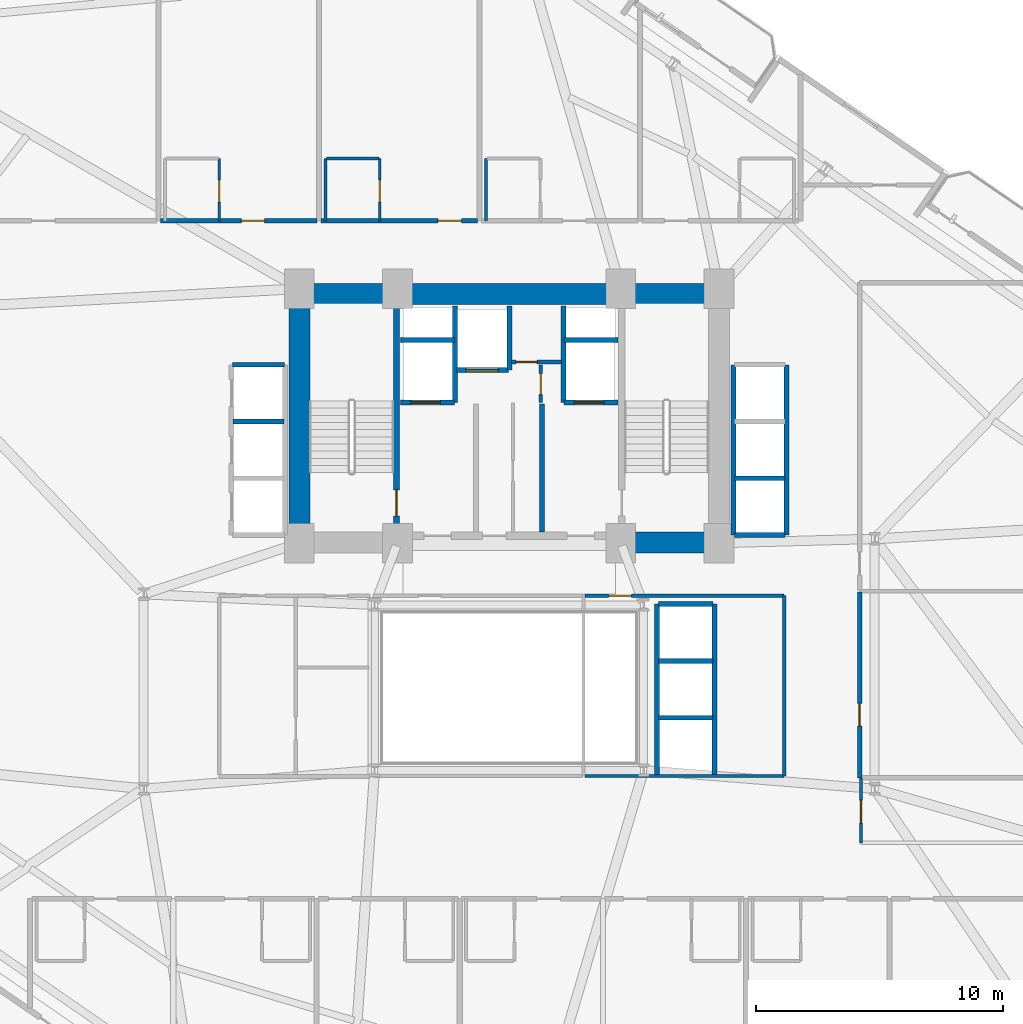
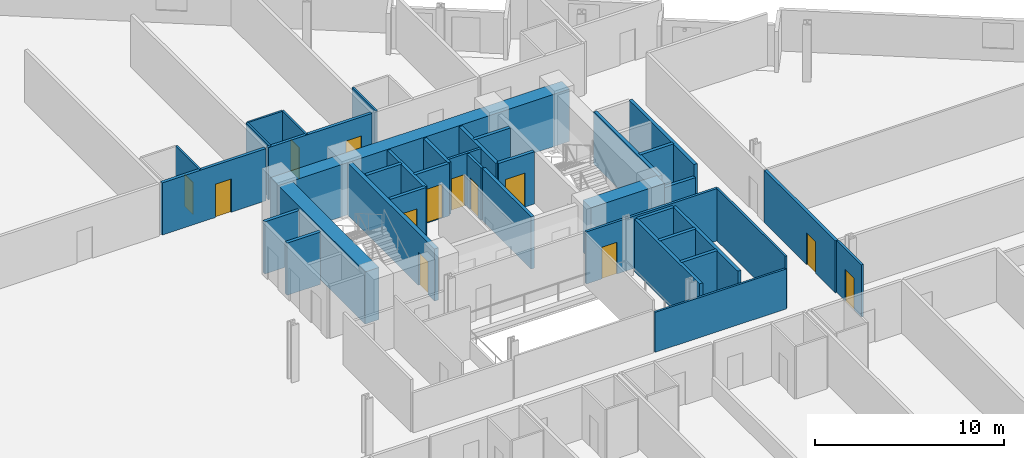
# One storey, part 19 of 24: 38 walls, 13 doors, 13 openings.
"""IFC4 building model written with IfcOpenShell, lengths in metres."""

from ifc_helpers import new_model, si_unit, direction, frame, frame_2d, origin, place, context, subcontext, project, spatial, rectangle, extrude, material, layer, layer_set, type_object, element, fill, save


model = new_model("IFC4")

# Units and contexts
model_context = context("Model", 3, precision=1e-05, world=origin(), true_north=direction((0.0, 1.0)))
body_context = subcontext(model_context, "Body", "Model", "MODEL_VIEW")
ifc_project = project(units=[si_unit("LENGTHUNIT", "METRE"), si_unit("AREAUNIT", "SQUARE_METRE"), si_unit("VOLUMEUNIT", "CUBIC_METRE"), si_unit("PLANEANGLEUNIT", "RADIAN"), si_unit("MASSUNIT", "GRAM", prefix="KILO")], contexts=[model_context])

# Site, building, storey
site_placement = place(None, origin())
site = spatial("IfcSite", under=ifc_project, at=site_placement, CompositionType="ELEMENT")
building_placement = place(site_placement, origin())
building = spatial("IfcBuilding", under=site, at=building_placement, Name="Varnelok Gate Tower", CompositionType="ELEMENT")
storey_placement = place(building_placement, frame((0.0, 0.0, 67.699951171875)))
storey = spatial("IfcBuildingStorey", under=building, at=storey_placement, Name="L16", CompositionType="ELEMENT", Elevation=67.699951171875)

# Wall, opening, door
ifc_material_1 = material(Name="Gypsum Plasterboard Acoustic Partition", Category="gypsum")
ifc_layer_1 = layer(ifc_material_1, 0.179931640625)
ifc_layer_set_1 = layer_set([ifc_layer_1], Name="Gypsum Plasterboard Acoustic Partition")
wall_type_1 = type_object("IfcWallType", Name="PW-CORR-180", PredefinedType="PARTITIONING", material=ifc_layer_set_1)
wall_1_placement = place(storey_placement, frame((25.080078125, 41.800048828125, 0.0), z_axis=(0.0, 0.0, 1.0), x_axis=(1.0, 0.0, 0.0)))
wall_1 = element("IfcWall", 1, at=wall_1_placement, inside=storey, type_object=wall_type_1, Name="Interior Partition", PredefinedType="PARTITIONING", context=body_context, shape_type="SweptSolid", body=[
    extrude(rectangle(XDim=6.33984375, YDim=0.179931640625, at=frame_2d((3.169921875, 0.0))), origin(), (0.0, 0.0, 1.0), 3.380126953125),
])
opening_1_placement = place(wall_1_placement, frame((3.273681640625, 0.0, 0.0)))
opening_1 = element("IfcOpeningElement", 2, at=opening_1_placement, cuts=wall_1, Name="Opening D-HT", PredefinedType="OPENING", context=body_context, shape_type="SweptSolid", body=[
    extrude(rectangle(XDim=0.949951171875, YDim=2.14990234375, at=frame_2d((0.47509765625, 1.074951171875))), frame((0.0, 0.099853515625, 0.0), z_axis=(0.0, -1.0, 0.0), x_axis=(1.0, 0.0, 0.0)), (0.0, 0.0, 1.0), 0.199951171875),
])
ifc_material_2 = material(Name="Engineered Hardwood Timber", Category="wood")
door_type_1 = type_object("IfcDoorType", Name="DR-HTL-950", OperationType="NOTDEFINED", PredefinedType="DOOR", material=ifc_material_2)
door_1_placement = place(opening_1_placement, origin())
door_1 = element("IfcDoor", 3, at=door_1_placement, inside=storey, type_object=door_type_1, Name="L16 Guest Room 12 Entrance Door", OperationType="SINGLE_SWING_LEFT", OverallHeight=2.14990234375, OverallWidth=0.949951171875, PredefinedType="DOOR", context=body_context, shape_type="SweptSolid", body=[
    extrude(rectangle(XDim=0.949951171875, YDim=2.14990234375, at=frame_2d((0.47509765625, 1.074951171875))), frame((0.0, 0.02490234375, 0.0), z_axis=(0.0, -1.0, 0.0), x_axis=(1.0, 0.0, 0.0)), (0.0, 0.0, 1.0), 0.050048828125),
])
fill(opening_1, door_1)

wall_2_placement = place(storey_placement, frame((31.580078125, 41.800048828125, 0.0), z_axis=(0.0, 0.0, 1.0), x_axis=(1.0, 0.0, 0.0)))
wall_2 = element("IfcWall", 4, at=wall_2_placement, inside=storey, type_object=wall_type_1, Name="Interior Partition", PredefinedType="PARTITIONING", context=body_context, shape_type="SweptSolid", body=[
    extrude(rectangle(XDim=6.33984375, YDim=0.179931640625, at=frame_2d((3.169921875, 0.0))), origin(), (0.0, 0.0, 1.0), 3.380126953125),
])
opening_2_placement = place(wall_2_placement, frame((4.739013671875, 0.0, 0.0)))
opening_2 = element("IfcOpeningElement", 5, at=opening_2_placement, cuts=wall_2, Name="Opening D-HT", PredefinedType="OPENING", context=body_context, shape_type="SweptSolid", body=[
    extrude(rectangle(XDim=0.949951171875, YDim=2.14990234375, at=frame_2d((0.47509765625, 1.074951171875))), frame((0.0, 0.099853515625, 0.0), z_axis=(0.0, -1.0, 0.0), x_axis=(1.0, 0.0, 0.0)), (0.0, 0.0, 1.0), 0.199951171875),
])
door_2_placement = place(opening_2_placement, origin())
door_2 = element("IfcDoor", 6, at=door_2_placement, inside=storey, type_object=door_type_1, Name="L16 Guest Room 13 Entrance Door", OperationType="SINGLE_SWING_RIGHT", OverallHeight=2.14990234375, OverallWidth=0.949951171875, PredefinedType="DOOR", context=body_context, shape_type="SweptSolid", body=[
    extrude(rectangle(XDim=0.949951171875, YDim=2.14990234375, at=frame_2d((0.47509765625, 1.074951171875))), frame((0.0, 0.02490234375, 0.0), z_axis=(0.0, -1.0, 0.0), x_axis=(1.0, 0.0, 0.0)), (0.0, 0.0, 1.0), 0.050048828125),
])
fill(opening_2, door_2)

wall_3_placement = place(storey_placement, frame((53.389892578125, 19.239990234375, 0.0), z_axis=(0.0, 0.0, 1.0), x_axis=(0.0, 1.0, 0.0)))
wall_3 = element("IfcWall", 7, at=wall_3_placement, inside=storey, type_object=wall_type_1, Name="Interior Partition", PredefinedType="PARTITIONING", context=body_context, shape_type="SweptSolid", body=[
    extrude(rectangle(XDim=7.52001953125, YDim=0.179931640625, at=frame_2d((3.760009765625, 0.0))), origin(), (0.0, 0.0, 1.0), 3.380126953125),
])
opening_3_placement = place(wall_3_placement, frame((2.10009765625, 0.0, 0.0)))
opening_3 = element("IfcOpeningElement", 8, at=opening_3_placement, cuts=wall_3, Name="Opening D-I3", PredefinedType="OPENING", context=body_context, shape_type="SweptSolid", body=[
    extrude(rectangle(XDim=0.919921875, YDim=2.050048828125, at=frame_2d((0.4599609375, 1.02490234375))), frame((0.0, 0.099853515625, 0.0), z_axis=(0.0, -1.0, 0.0), x_axis=(1.0, 0.0, 0.0)), (0.0, 0.0, 1.0), 0.199951171875),
])
door_type_2 = type_object("IfcDoorType", Name="DR-INT-920", OperationType="NOTDEFINED", PredefinedType="DOOR", material=ifc_material_2)
door_3_placement = place(opening_3_placement, origin())
door_3 = element("IfcDoor", 9, at=door_3_placement, inside=storey, type_object=door_type_2, Name="L16 East Studio Door", OperationType="SINGLE_SWING_RIGHT", OverallHeight=2.050048828125, OverallWidth=0.919921875, PredefinedType="DOOR", context=body_context, shape_type="SweptSolid", body=[
    extrude(rectangle(XDim=0.919921875, YDim=2.050048828125, at=frame_2d((0.4599609375, 1.02490234375))), frame((0.0, 0.02490234375, 0.0), z_axis=(0.0, -1.0, 0.0), x_axis=(1.0, 0.0, 0.0)), (0.0, 0.0, 1.0), 0.050048828125),
])
fill(opening_3, door_3)

ifc_layer_2 = layer(ifc_material_1, 0.114990234375)
ifc_layer_set_2 = layer_set([ifc_layer_2], Name="Gypsum Plasterboard Acoustic Partition")
wall_type_2 = type_object("IfcWallType", Name="PW-ENS-125", PredefinedType="PARTITIONING", material=ifc_layer_set_2)
wall_4_placement = place(storey_placement, frame((27.464111328125, 41.800048828125, 0.0), z_axis=(0.0, 0.0, 1.0), x_axis=(0.0, 1.0, 0.0)))
wall_4 = element("IfcWall", 10, at=wall_4_placement, inside=storey, type_object=wall_type_2, Name="Interior Partition", PredefinedType="PARTITIONING", context=body_context, shape_type="SweptSolid", body=[
    extrude(rectangle(XDim=2.52001953125, YDim=0.114990234375, at=frame_2d((1.260009765625, 0.0))), origin(), (0.0, 0.0, 1.0), 3.380126953125),
])
opening_4_placement = place(wall_4_placement, frame((0.760009765625, 0.0, 0.0)))
opening_4 = element("IfcOpeningElement", 11, at=opening_4_placement, cuts=wall_4, Name="Opening D-WC", PredefinedType="OPENING", context=body_context, shape_type="SweptSolid", body=[
    extrude(rectangle(XDim=0.89990234375, YDim=2.050048828125, at=frame_2d((0.449951171875, 1.02490234375))), frame((0.0, 0.0673828125, 0.0), z_axis=(0.0, -1.0, 0.0), x_axis=(1.0, 0.0, 0.0)), (0.0, 0.0, 1.0), 0.135009765625),
])
door_type_3 = type_object("IfcDoorType", Name="DR-BATH-900", OperationType="NOTDEFINED", PredefinedType="DOOR", material=ifc_material_2)
door_4_placement = place(opening_4_placement, origin())
door_4 = element("IfcDoor", 12, at=door_4_placement, inside=storey, type_object=door_type_3, Name="L16 North En-Suite 12 Door", OperationType="SINGLE_SWING_RIGHT", OverallHeight=2.050048828125, OverallWidth=0.89990234375, PredefinedType="DOOR", context=body_context, shape_type="SweptSolid", body=[
    extrude(rectangle(XDim=0.89990234375, YDim=2.050048828125, at=frame_2d((0.449951171875, 1.02490234375))), frame((0.0, 0.02490234375, 0.0), z_axis=(0.0, -1.0, 0.0), x_axis=(1.0, 0.0, 0.0)), (0.0, 0.0, 1.0), 0.050048828125),
])
fill(opening_4, door_4)

# Wall
wall_5_placement = place(storey_placement, frame((31.800048828125, 44.320068359375, 0.0), z_axis=(0.0, 0.0, 1.0), x_axis=(1.0, 0.0, 0.0)))
element("IfcWall", 13, at=wall_5_placement, inside=storey, type_object=wall_type_2, Name="Interior Partition", PredefinedType="PARTITIONING", context=body_context, shape_type="SweptSolid", body=[
    extrude(rectangle(XDim=2.1240234375, YDim=0.114990234375, at=frame_2d((1.06201171875, 0.0))), origin(), (0.0, 0.0, 1.0), 3.380126953125),
])

# Wall, opening, door
wall_6_placement = place(storey_placement, frame((33.964111328125, 41.800048828125, 0.0), z_axis=(0.0, 0.0, 1.0), x_axis=(0.0, 1.0, 0.0)))
wall_6 = element("IfcWall", 14, at=wall_6_placement, inside=storey, type_object=wall_type_2, Name="Interior Partition", PredefinedType="PARTITIONING", context=body_context, shape_type="SweptSolid", body=[
    extrude(rectangle(XDim=2.52001953125, YDim=0.114990234375, at=frame_2d((1.260009765625, 0.0))), origin(), (0.0, 0.0, 1.0), 3.380126953125),
])
opening_5_placement = place(wall_6_placement, frame((0.760009765625, 0.0, 0.0)))
opening_5 = element("IfcOpeningElement", 15, at=opening_5_placement, cuts=wall_6, Name="Opening D-WC", PredefinedType="OPENING", context=body_context, shape_type="SweptSolid", body=[
    extrude(rectangle(XDim=0.89990234375, YDim=2.050048828125, at=frame_2d((0.449951171875, 1.02490234375))), frame((0.0, 0.0673828125, 0.0), z_axis=(0.0, -1.0, 0.0), x_axis=(1.0, 0.0, 0.0)), (0.0, 0.0, 1.0), 0.135009765625),
])
door_5_placement = place(opening_5_placement, origin())
door_5 = element("IfcDoor", 16, at=door_5_placement, inside=storey, type_object=door_type_3, Name="L16 North En-Suite 13 Door", OperationType="SINGLE_SWING_RIGHT", OverallHeight=2.050048828125, OverallWidth=0.89990234375, PredefinedType="DOOR", context=body_context, shape_type="SweptSolid", body=[
    extrude(rectangle(XDim=0.89990234375, YDim=2.050048828125, at=frame_2d((0.449951171875, 1.02490234375))), frame((0.0, 0.02490234375, 0.0), z_axis=(0.0, -1.0, 0.0), x_axis=(1.0, 0.0, 0.0)), (0.0, 0.0, 1.0), 0.050048828125),
])
fill(opening_5, door_5)

# Walls
for number, where, z_axis, x_axis, name in (
    (17, (31.760009765625, 41.800048828125, 0.0), (0.0, 0.0, 1.0), (0.0, 1.0, 0.0), "Interior Partition"),
    (18, (38.260009765625, 41.800048828125, 0.0), (0.0, 0.0, 1.0), (0.0, 1.0, 0.0), "Interior Partition"),
):
    element("IfcWall", number, at=place(storey_placement, frame(where, z_axis=z_axis, x_axis=x_axis)), inside=storey, type_object=wall_type_2, Name=name, PredefinedType="PARTITIONING", context=body_context, shape_type="SweptSolid", body=[
        extrude(rectangle(XDim=2.52001953125, YDim=0.114990234375, at=frame_2d((1.260009765625, 0.0))), origin(), (0.0, 0.0, 1.0), 3.380126953125),
    ])
ifc_layer_3 = layer(ifc_material_1, 0.125)
ifc_layer_set_3 = layer_set([ifc_layer_3], Name="Gypsum Plasterboard Acoustic Partition")
wall_type_3 = type_object("IfcWallType", Name="PW-PART-125", PredefinedType="PARTITIONING", material=ifc_layer_set_3)
wall_7_placement = place(storey_placement, frame((42.280029296875, 19.320068359375, 0.0), z_axis=(0.0, 0.0, 1.0), x_axis=(1.0, 0.0, 0.0)))
element("IfcWall", 19, at=wall_7_placement, inside=storey, type_object=wall_type_3, Name="Interior Partition", PredefinedType="PARTITIONING", context=body_context, shape_type="SweptSolid", body=[
    extrude(rectangle(XDim=8.06005859375, YDim=0.125, at=frame_2d((4.030029296875, 0.0))), origin(), (0.0, 0.0, 1.0), 2.592041015625),
])
wall_8_placement = place(storey_placement, frame((50.340087890625, 19.320068359375, 0.0), z_axis=(0.0, 0.0, 1.0), x_axis=(0.0, 1.0, 0.0)))
element("IfcWall", 20, at=wall_8_placement, inside=storey, type_object=wall_type_3, Name="Interior Partition", PredefinedType="PARTITIONING", context=body_context, shape_type="SweptSolid", body=[
    extrude(rectangle(XDim=7.300048828125, YDim=0.125, at=frame_2d((3.64990234375, 0.0))), origin(), (0.0, 0.0, 1.0), 3.380126953125),
])

# Wall, opening, door
wall_9_placement = place(storey_placement, frame((53.449951171875, 16.610107421875, 0.0), z_axis=(0.0, 0.0, 1.0), x_axis=(0.0, 1.0, 0.0)))
wall_9 = element("IfcWall", 21, at=wall_9_placement, inside=storey, type_object=wall_type_3, Name="Interior Partition", PredefinedType="PARTITIONING", context=body_context, shape_type="SweptSolid", body=[
    extrude(rectangle(XDim=2.6298828125, YDim=0.125, at=frame_2d((1.31494140625, 0.0))), origin(), (0.0, 0.0, 1.0), 3.380126953125),
])
opening_6_placement = place(wall_9_placement, frame((0.79736328125, 0.0, 0.0)))
opening_6 = element("IfcOpeningElement", 22, at=opening_6_placement, cuts=wall_9, Name="Opening D-I3", PredefinedType="OPENING", context=body_context, shape_type="SweptSolid", body=[
    extrude(rectangle(XDim=0.919921875, YDim=2.050048828125, at=frame_2d((0.4599609375, 1.02490234375))), frame((0.0, 0.072509765625, 0.0), z_axis=(0.0, -1.0, 0.0), x_axis=(1.0, 0.0, 0.0)), (0.0, 0.0, 1.0), 0.14501953125),
])
door_6_placement = place(opening_6_placement, origin())
door_6 = element("IfcDoor", 23, at=door_6_placement, inside=storey, type_object=door_type_2, Name="L16 Atrium Room 2 Door", OperationType="SINGLE_SWING_LEFT", OverallHeight=2.050048828125, OverallWidth=0.919921875, PredefinedType="DOOR", context=body_context, shape_type="SweptSolid", body=[
    extrude(rectangle(XDim=0.919921875, YDim=2.050048828125, at=frame_2d((0.4599609375, 1.02490234375))), frame((0.0, 0.02490234375, 0.0), z_axis=(0.0, -1.0, 0.0), x_axis=(1.0, 0.0, 0.0)), (0.0, 0.0, 1.0), 0.050048828125),
])
fill(opening_6, door_6)

ifc_layer_4 = layer(ifc_material_1, 0.14990234375)
ifc_layer_set_4 = layer_set([ifc_layer_4], Name="Gypsum Plasterboard Acoustic Partition")
wall_type_4 = type_object("IfcWallType", Name="PW-PART-150", PredefinedType="PARTITIONING", material=ifc_layer_set_4)
wall_10_placement = place(storey_placement, frame((42.280029296875, 26.6201171875, 0.0), z_axis=(0.0, 0.0, 1.0), x_axis=(1.0, 0.0, 0.0)))
wall_10 = element("IfcWall", 24, at=wall_10_placement, inside=storey, type_object=wall_type_4, Name="Interior Partition", PredefinedType="PARTITIONING", context=body_context, shape_type="SweptSolid", body=[
    extrude(rectangle(XDim=8.06005859375, YDim=0.14990234375, at=frame_2d((4.030029296875, 0.0))), origin(), (0.0, 0.0, 1.0), 3.380126953125),
])
opening_7_placement = place(wall_10_placement, frame((0.95361328125, 0.0, 0.0)))
opening_7 = element("IfcOpeningElement", 25, at=opening_7_placement, cuts=wall_10, Name="Opening D-I3", PredefinedType="OPENING", context=body_context, shape_type="SweptSolid", body=[
    extrude(rectangle(XDim=0.919921875, YDim=2.050048828125, at=frame_2d((0.4599609375, 1.02490234375))), frame((0.0, 0.0849609375, 0.0), z_axis=(0.0, -1.0, 0.0), x_axis=(1.0, 0.0, 0.0)), (0.0, 0.0, 1.0), 0.169921875),
])
door_7_placement = place(opening_7_placement, origin())
door_7 = element("IfcDoor", 26, at=door_7_placement, inside=storey, type_object=door_type_2, Name="L16 Executive Briefing Room Door", OperationType="SINGLE_SWING_LEFT", OverallHeight=2.050048828125, OverallWidth=0.919921875, PredefinedType="DOOR", context=body_context, shape_type="SweptSolid", body=[
    extrude(rectangle(XDim=0.919921875, YDim=2.050048828125, at=frame_2d((0.4599609375, 1.02490234375))), frame((0.0, 0.02490234375, 0.0), z_axis=(0.0, -1.0, 0.0), x_axis=(1.0, 0.0, 0.0)), (0.0, 0.0, 1.0), 0.050048828125),
])
fill(opening_7, door_7)

wall_11_placement = place(storey_placement, frame((39.300048828125, 36.080078125, 0.0), z_axis=(0.0, 0.0, 1.0), x_axis=(1.0, 0.0, 0.0)))
wall_11 = element("IfcWall", 27, at=wall_11_placement, inside=storey, type_object=wall_type_4, Name="L16 Electrical Closet South Wall", PredefinedType="PARTITIONING", context=body_context, shape_type="SweptSolid", body=[
    extrude(rectangle(XDim=2.02001953125, YDim=0.14990234375, at=frame_2d((1.010009765625, 0.0))), origin(), (0.0, 0.0, 1.0), 3.380126953125),
])
opening_8_placement = place(wall_11_placement, frame((0.179931640625, 0.0, 0.0)))
opening_8 = element("IfcOpeningElement", 28, at=opening_8_placement, cuts=wall_11, Name="Opening D-RS", PredefinedType="OPENING", context=body_context, shape_type="SweptSolid", body=[
    extrude(rectangle(XDim=0.85009765625, YDim=2.050048828125, at=frame_2d((0.425048828125, 1.02490234375))), frame((0.0, 0.0849609375, 0.0), z_axis=(0.0, -1.0, 0.0), x_axis=(1.0, 0.0, 0.0)), (0.0, 0.0, 1.0), 0.169921875),
])
ifc_material_3 = material(Name="Galvanized Steel Grade S350GD", Category="steel")
door_type_4 = type_object("IfcDoorType", Name="DR-RISER-850", OperationType="NOTDEFINED", PredefinedType="DOOR", material=ifc_material_3)
door_8_placement = place(opening_8_placement, origin())
door_8 = element("IfcDoor", 29, at=door_8_placement, inside=storey, type_object=door_type_4, Name="L16 Electrical Closet Door", OperationType="SINGLE_SWING_RIGHT", OverallHeight=2.050048828125, OverallWidth=0.85009765625, PredefinedType="DOOR", context=body_context, shape_type="SweptSolid", body=[
    extrude(rectangle(XDim=0.85009765625, YDim=2.050048828125, at=frame_2d((0.425048828125, 1.02490234375))), frame((0.0, 0.02490234375, 0.0), z_axis=(0.0, -1.0, 0.0), x_axis=(1.0, 0.0, 0.0)), (0.0, 0.0, 1.0), 0.050048828125),
])
fill(opening_8, door_8)

wall_12_placement = place(storey_placement, frame((40.47998046875, 34.43994140625, 0.0), z_axis=(0.0, 0.0, 1.0), x_axis=(0.0, 1.0, 0.0)))
wall_12 = element("IfcWall", 30, at=wall_12_placement, inside=storey, type_object=wall_type_4, Name="L16 Telecoms Closet West Wall", PredefinedType="PARTITIONING", context=body_context, shape_type="SweptSolid", body=[
    extrude(rectangle(XDim=1.52001953125, YDim=0.14990234375, at=frame_2d((0.760009765625, 0.0))), origin(), (0.0, 0.0, 1.0), 3.380126953125),
])
opening_9_placement = place(wall_12_placement, frame((0.320068359375, 0.0, 0.0)))
opening_9 = element("IfcOpeningElement", 31, at=opening_9_placement, cuts=wall_12, Name="Opening D-RS", PredefinedType="OPENING", context=body_context, shape_type="SweptSolid", body=[
    extrude(rectangle(XDim=0.85009765625, YDim=2.050048828125, at=frame_2d((0.425048828125, 1.02490234375))), frame((0.0, 0.0849609375, 0.0), z_axis=(0.0, -1.0, 0.0), x_axis=(1.0, 0.0, 0.0)), (0.0, 0.0, 1.0), 0.169921875),
])
door_9_placement = place(opening_9_placement, origin())
door_9 = element("IfcDoor", 32, at=door_9_placement, inside=storey, type_object=door_type_4, Name="L16 Telecoms Closet Door", OperationType="SINGLE_SWING_LEFT", OverallHeight=2.050048828125, OverallWidth=0.85009765625, PredefinedType="DOOR", context=body_context, shape_type="SweptSolid", body=[
    extrude(rectangle(XDim=0.85009765625, YDim=2.050048828125, at=frame_2d((0.425048828125, 1.02490234375))), frame((0.0, 0.02490234375, 0.0), z_axis=(0.0, -1.0, 0.0), x_axis=(1.0, 0.0, 0.0)), (0.0, 0.0, 1.0), 0.050048828125),
])
fill(opening_9, door_9)

# Wall
ifc_material_4 = material(Name="Concrete C35/45", Category="concrete")
ifc_layer_5 = layer(ifc_material_4, 0.199951171875)
ifc_layer_set_5 = layer_set([ifc_layer_5], Name="Concrete C35/45")
wall_type_5 = type_object("IfcWallType", Name="PW-SHAFT-200", PredefinedType="PARTITIONING", material=ifc_layer_set_5)
wall_13_placement = place(storey_placement, frame((40.5400390625, 29.199951171875, 0.0), z_axis=(0.0, 0.0, 1.0), x_axis=(0.0, 1.0, 0.0)))
element("IfcWall", 33, at=wall_13_placement, inside=storey, type_object=wall_type_5, Name="L16 East FF Lobby Rated Wall", PredefinedType="PARTITIONING", context=body_context, shape_type="SweptSolid", body=[
    extrude(rectangle(XDim=5.179931640625, YDim=0.199951171875, at=frame_2d((2.58984375, 0.0))), origin(), (0.0, 0.0, 1.0), 3.380126953125),
])

# Wall, opening, door
wall_14_placement = place(storey_placement, frame((34.800048828125, 34.43994140625, 0.0), z_axis=(0.0, 0.0, 1.0), x_axis=(1.0, 0.0, 0.0)))
wall_14 = element("IfcWall", 34, at=wall_14_placement, inside=storey, type_object=wall_type_5, Name="L16 FF1 Shaft Front Wall", PredefinedType="PARTITIONING", context=body_context, shape_type="SweptSolid", body=[
    extrude(rectangle(XDim=2.179931640625, YDim=0.199951171875, at=frame_2d((1.08984375, 0.0))), origin(), (0.0, 0.0, 1.0), 3.380126953125),
])
opening_10_placement = place(wall_14_placement, frame((0.419921875, 0.0, 0.0)))
opening_10 = element("IfcOpeningElement", 35, at=opening_10_placement, cuts=wall_14, Name="Opening LD-FF1", PredefinedType="OPENING", context=body_context, shape_type="SweptSolid", body=[
    extrude(rectangle(XDim=1.199951171875, YDim=2.199951171875, at=frame_2d((0.60009765625, 1.10009765625))), frame((0.0, 0.10986328125, 0.0), z_axis=(0.0, -1.0, 0.0), x_axis=(1.0, 0.0, 0.0)), (0.0, 0.0, 1.0), 0.219970703125),
])
door_type_5 = type_object("IfcDoorType", Name="DR-LIFT-FF1200", OperationType="SLIDING_TO_LEFT", PredefinedType="DOOR", material=ifc_material_3)
door_10_placement = place(opening_10_placement, origin())
door_10 = element("IfcDoor", 36, at=door_10_placement, inside=storey, type_object=door_type_5, Name="L16 Firefighting Lift Landing Door LD-FF1", OperationType="SLIDING_TO_LEFT", OverallHeight=2.199951171875, OverallWidth=1.199951171875, PredefinedType="DOOR", context=body_context, shape_type="SweptSolid", body=[
    extrude(rectangle(XDim=1.199951171875, YDim=2.199951171875, at=frame_2d((0.60009765625, 1.10009765625))), frame((0.0, 0.02490234375, 0.0), z_axis=(0.0, -1.0, 0.0), x_axis=(1.0, 0.0, 0.0)), (0.0, 0.0, 1.0), 0.050048828125),
])
fill(opening_10, door_10)

# Walls
wall_15_placement = place(storey_placement, frame((34.800048828125, 36.97998046875, 0.0), z_axis=(0.0, 0.0, 1.0), x_axis=(1.0, 0.0, 0.0)))
element("IfcWall", 37, at=wall_15_placement, inside=storey, type_object=wall_type_5, Name="L16 FF1 Shaft North Wall", PredefinedType="PARTITIONING", context=body_context, shape_type="SweptSolid", body=[
    extrude(rectangle(XDim=2.179931640625, YDim=0.199951171875, at=frame_2d((1.08984375, 0.0))), origin(), (0.0, 0.0, 1.0), 3.380126953125),
])
wall_16_placement = place(storey_placement, frame((37.0, 34.43994140625, 0.0), z_axis=(0.0, 0.0, 1.0), x_axis=(0.0, 1.0, 0.0)))
element("IfcWall", 38, at=wall_16_placement, inside=storey, type_object=wall_type_5, Name="L16 FF1 Shaft Side Wall", PredefinedType="PARTITIONING", context=body_context, shape_type="SweptSolid", body=[
    extrude(rectangle(XDim=3.900146484375, YDim=0.199951171875, at=frame_2d((1.9501953125, 0.0))), origin(), (0.0, 0.0, 1.0), 3.380126953125),
])

# Wall, opening, door
wall_17_placement = place(storey_placement, frame((41.419921875, 34.43994140625, 0.0), z_axis=(0.0, 0.0, 1.0), x_axis=(1.0, 0.0, 0.0)))
wall_17 = element("IfcWall", 39, at=wall_17_placement, inside=storey, type_object=wall_type_5, Name="L16 FF2 Shaft Front Wall", PredefinedType="PARTITIONING", context=body_context, shape_type="SweptSolid", body=[
    extrude(rectangle(XDim=2.18017578125, YDim=0.199951171875, at=frame_2d((1.090087890625, 0.0))), origin(), (0.0, 0.0, 1.0), 3.380126953125),
])
opening_11_placement = place(wall_17_placement, frame((0.419921875, 0.0, 0.0)))
opening_11 = element("IfcOpeningElement", 40, at=opening_11_placement, cuts=wall_17, Name="Opening LD-FF2", PredefinedType="OPENING", context=body_context, shape_type="SweptSolid", body=[
    extrude(rectangle(XDim=1.199951171875, YDim=2.199951171875, at=frame_2d((0.60009765625, 1.10009765625))), frame((0.0, 0.10986328125, 0.0), z_axis=(0.0, -1.0, 0.0), x_axis=(1.0, 0.0, 0.0)), (0.0, 0.0, 1.0), 0.219970703125),
])
door_11_placement = place(opening_11_placement, origin())
door_11 = element("IfcDoor", 41, at=door_11_placement, inside=storey, type_object=door_type_5, Name="L16 Firefighting Lift Landing Door LD-FF2", OperationType="SLIDING_TO_LEFT", OverallHeight=2.199951171875, OverallWidth=1.199951171875, PredefinedType="DOOR", context=body_context, shape_type="SweptSolid", body=[
    extrude(rectangle(XDim=1.199951171875, YDim=2.199951171875, at=frame_2d((0.60009765625, 1.10009765625))), frame((0.0, 0.02490234375, 0.0), z_axis=(0.0, -1.0, 0.0), x_axis=(1.0, 0.0, 0.0)), (0.0, 0.0, 1.0), 0.050048828125),
])
fill(opening_11, door_11)

# Walls
wall_18_placement = place(storey_placement, frame((41.419921875, 36.97998046875, 0.0), z_axis=(0.0, 0.0, 1.0), x_axis=(1.0, 0.0, 0.0)))
element("IfcWall", 42, at=wall_18_placement, inside=storey, type_object=wall_type_5, Name="L16 FF2 Shaft North Wall", PredefinedType="PARTITIONING", context=body_context, shape_type="SweptSolid", body=[
    extrude(rectangle(XDim=2.18017578125, YDim=0.199951171875, at=frame_2d((1.090087890625, 0.0))), origin(), (0.0, 0.0, 1.0), 3.380126953125),
])
wall_19_placement = place(storey_placement, frame((41.39990234375, 34.43994140625, 0.0), z_axis=(0.0, 0.0, 1.0), x_axis=(0.0, 1.0, 0.0)))
element("IfcWall", 43, at=wall_19_placement, inside=storey, type_object=wall_type_5, Name="L16 FF2 Shaft Side Wall", PredefinedType="PARTITIONING", context=body_context, shape_type="SweptSolid", body=[
    extrude(rectangle(XDim=3.900146484375, YDim=0.199951171875, at=frame_2d((1.9501953125, 0.0))), origin(), (0.0, 0.0, 1.0), 3.380126953125),
])

# Wall, opening, door
wall_20_placement = place(storey_placement, frame((37.06005859375, 35.75, 0.0), z_axis=(0.0, 0.0, 1.0), x_axis=(1.0, 0.0, 0.0)))
wall_20 = element("IfcWall", 44, at=wall_20_placement, inside=storey, type_object=wall_type_5, Name="L16 SV1 Shaft Front Wall", PredefinedType="PARTITIONING", context=body_context, shape_type="SweptSolid", body=[
    extrude(rectangle(XDim=2.119873046875, YDim=0.199951171875, at=frame_2d((1.06005859375, 0.0))), origin(), (0.0, 0.0, 1.0), 3.380126953125),
])
opening_12_placement = place(wall_20_placement, frame((0.39990234375, 0.0, 0.0)))
opening_12 = element("IfcOpeningElement", 45, at=opening_12_placement, cuts=wall_20, Name="Opening LD-SV1", PredefinedType="OPENING", context=body_context, shape_type="SweptSolid", body=[
    extrude(rectangle(XDim=1.300048828125, YDim=2.199951171875, at=frame_2d((0.64990234375, 1.10009765625))), frame((0.0, 0.10986328125, 0.0), z_axis=(0.0, -1.0, 0.0), x_axis=(1.0, 0.0, 0.0)), (0.0, 0.0, 1.0), 0.219970703125),
])
door_type_6 = type_object("IfcDoorType", Name="DR-LIFT-SV1300", OperationType="SLIDING_TO_LEFT", PredefinedType="DOOR", material=ifc_material_3)
door_12_placement = place(opening_12_placement, origin())
door_12 = element("IfcDoor", 46, at=door_12_placement, inside=storey, type_object=door_type_6, Name="L16 Service Lift Landing Door LD-SV1", OperationType="SLIDING_TO_LEFT", OverallHeight=2.199951171875, OverallWidth=1.300048828125, PredefinedType="DOOR", context=body_context, shape_type="SweptSolid", body=[
    extrude(rectangle(XDim=1.300048828125, YDim=2.199951171875, at=frame_2d((0.64990234375, 1.10009765625))), frame((0.0, 0.02490234375, 0.0), z_axis=(0.0, -1.0, 0.0), x_axis=(1.0, 0.0, 0.0)), (0.0, 0.0, 1.0), 0.050048828125),
])
fill(opening_12, door_12)

# Walls
wall_21_placement = place(storey_placement, frame((39.219970703125, 35.75, 0.0), z_axis=(0.0, 0.0, 1.0), x_axis=(0.0, 1.0, 0.0)))
element("IfcWall", 47, at=wall_21_placement, inside=storey, type_object=wall_type_5, Name="L16 SV1 Shaft East Wall", PredefinedType="PARTITIONING", context=body_context, shape_type="SweptSolid", body=[
    extrude(rectangle(XDim=2.590087890625, YDim=0.199951171875, at=frame_2d((1.294921875, 0.0))), origin(), (0.0, 0.0, 1.0), 3.380126953125),
])
wall_22_placement = place(storey_placement, frame((28.02001953125, 33.675048828125, 0.0), z_axis=(0.0, 0.0, 1.0), x_axis=(1.0, 0.0, 0.0)))
element("IfcWall", 48, at=wall_22_placement, inside=storey, type_object=wall_type_5, Name="L16 PL2 Divider", PredefinedType="PARTITIONING", context=body_context, shape_type="SweptSolid", body=[
    extrude(rectangle(XDim=2.06005859375, YDim=0.199951171875, at=frame_2d((1.030029296875, 0.0))), origin(), (0.0, 0.0, 1.0), 3.380126953125),
])
wall_23_placement = place(storey_placement, frame((28.0, 35.969970703125, 0.0), z_axis=(0.0, 0.0, 1.0), x_axis=(1.0, 0.0, 0.0)))
element("IfcWall", 49, at=wall_23_placement, inside=storey, type_object=wall_type_5, Name="L16 PL Bank North Wall", PredefinedType="PARTITIONING", context=body_context, shape_type="SweptSolid", body=[
    extrude(rectangle(XDim=2.10009765625, YDim=0.199951171875, at=frame_2d((1.050048828125, 0.0))), origin(), (0.0, 0.0, 1.0), 3.380126953125),
])
wall_24_placement = place(storey_placement, frame((48.320068359375, 31.375, 0.0), z_axis=(0.0, 0.0, 1.0), x_axis=(1.0, 0.0, 0.0)))
element("IfcWall", 50, at=wall_24_placement, inside=storey, type_object=wall_type_5, Name="L16 PM1 Divider", PredefinedType="PARTITIONING", context=body_context, shape_type="SweptSolid", body=[
    extrude(rectangle(XDim=2.059814453125, YDim=0.199951171875, at=frame_2d((1.02978515625, 0.0))), origin(), (0.0, 0.0, 1.0), 3.380126953125),
])
wall_25_placement = place(storey_placement, frame((48.320068359375, 29.080078125, 0.0), z_axis=(0.0, 0.0, 1.0), x_axis=(1.0, 0.0, 0.0)))
element("IfcWall", 51, at=wall_25_placement, inside=storey, type_object=wall_type_5, Name="L16 PM Bank South Wall", PredefinedType="PARTITIONING", context=body_context, shape_type="SweptSolid", body=[
    extrude(rectangle(XDim=2.059814453125, YDim=0.199951171875, at=frame_2d((1.02978515625, 0.0))), origin(), (0.0, 0.0, 1.0), 2.592041015625),
])
for number, where, z_axis, x_axis, name in (
    (52, (48.280029296875, 29.080078125, 0.0), (0.0, 0.0, 1.0), (0.0, 1.0, 0.0), "L16 PM Bank Back Wall"),
    (53, (50.43994140625, 29.080078125, 0.0), (0.0, 0.0, 1.0), (0.0, 1.0, 0.0), "L16 PM Bank Front Wall"),
):
    element("IfcWall", number, at=place(storey_placement, frame(where, z_axis=z_axis, x_axis=x_axis)), inside=storey, type_object=wall_type_5, Name=name, PredefinedType="PARTITIONING", context=body_context, shape_type="SweptSolid", body=[
        extrude(rectangle(XDim=6.889892578125, YDim=0.199951171875, at=frame_2d((3.44482421875, 0.0))), origin(), (0.0, 0.0, 1.0), 3.380126953125),
    ])
for number, where, z_axis, x_axis, name in (
    (54, (45.239990234375, 21.675048828125, 0.0), (0.0, 0.0, 1.0), (1.0, 0.0, 0.0), "L16 PH1 Divider"),
    (55, (45.239990234375, 23.97509765625, 0.0), (0.0, 0.0, 1.0), (1.0, 0.0, 0.0), "L16 PH2 Divider"),
    (56, (45.239990234375, 26.280029296875, 0.0), (0.0, 0.0, 1.0), (1.0, 0.0, 0.0), "L16 PH Bank North Wall"),
):
    element("IfcWall", number, at=place(storey_placement, frame(where, z_axis=z_axis, x_axis=x_axis)), inside=storey, type_object=wall_type_5, Name=name, PredefinedType="PARTITIONING", context=body_context, shape_type="SweptSolid", body=[
        extrude(rectangle(XDim=2.219970703125, YDim=0.199951171875, at=frame_2d((1.10986328125, 0.0))), origin(), (0.0, 0.0, 1.0), 3.380126953125),
    ])
for number, where, z_axis, x_axis, name in (
    (57, (45.179931640625, 19.3798828125, 0.0), (0.0, 0.0, 1.0), (0.0, 1.0, 0.0), "L16 PH Bank Atrium Wall"),
    (58, (47.52001953125, 19.3798828125, 0.0), (0.0, 0.0, 1.0), (0.0, 1.0, 0.0), "L16 PH Bank Front Wall"),
):
    element("IfcWall", number, at=place(storey_placement, frame(where, z_axis=z_axis, x_axis=x_axis)), inside=storey, type_object=wall_type_5, Name=name, PredefinedType="PARTITIONING", context=body_context, shape_type="SweptSolid", body=[
        extrude(rectangle(XDim=6.900146484375, YDim=0.199951171875, at=frame_2d((3.4501953125, 0.0))), origin(), (0.0, 0.0, 1.0), 3.380126953125),
    ])
ifc_material_5 = material(Name="Concrete C70/85", Category="concrete")
ifc_layer_6 = layer(ifc_material_5, 0.85009765625)
ifc_layer_set_6 = layer_set([ifc_layer_6], Name="Concrete C70/85")
wall_type_6 = type_object("IfcWallType", Name="SW-CORE-850", PredefinedType="SHEAR", material=ifc_layer_set_6)
wall_26_placement = place(storey_placement, frame((30.280029296875, 38.844970703125, 0.0), z_axis=(0.0, 0.0, 1.0), x_axis=(1.0, 0.0, 0.0)))
element("IfcWall", 59, at=wall_26_placement, inside=storey, type_object=wall_type_6, Name="L16 Rear Core North Shear Wall", PredefinedType="SHEAR", context=body_context, shape_type="SweptSolid", body=[
    extrude(rectangle(XDim=17.840087890625, YDim=0.85009765625, at=frame_2d((8.919921875, 0.0))), origin(), (0.0, 0.0, 1.0), 3.380126953125),
])
wall_27_placement = place(storey_placement, frame((30.705078125, 29.199951171875, 0.0), z_axis=(0.0, 0.0, 1.0), x_axis=(0.0, 1.0, 0.0)))
element("IfcWall", 60, at=wall_27_placement, inside=storey, type_object=wall_type_6, Name="L16 Rear Core West Shear Wall", PredefinedType="SHEAR", context=body_context, shape_type="SweptSolid", body=[
    extrude(rectangle(XDim=9.219970703125, YDim=0.85009765625, at=frame_2d((4.60986328125, 0.0))), origin(), (0.0, 0.0, 1.0), 3.380126953125),
])
wall_28_placement = place(storey_placement, frame((43.60009765625, 28.77490234375, 0.0), z_axis=(0.0, 0.0, 1.0), x_axis=(1.0, 0.0, 0.0)))
element("IfcWall", 61, at=wall_28_placement, inside=storey, type_object=wall_type_6, Name="L16 Rear Core South-East Shear Wall", PredefinedType="SHEAR", context=body_context, shape_type="SweptSolid", body=[
    extrude(rectangle(XDim=4.52001953125, YDim=0.85009765625, at=frame_2d((2.260009765625, 0.0))), origin(), (0.0, 0.0, 1.0), 3.380126953125),
])

# Wall, opening, door
ifc_material_6 = material(Name="Concrete C60/75", Category="concrete")
ifc_layer_7 = layer(ifc_material_6, 0.25)
ifc_layer_set_7 = layer_set([ifc_layer_7], Name="Concrete C60/75")
wall_type_7 = type_object("IfcWallType", Name="SW-SHAFT-250", PredefinedType="SHEAR", material=ifc_layer_set_7)
wall_29_placement = place(storey_placement, frame((34.639892578125, 29.199951171875, 0.0), z_axis=(0.0, 0.0, 1.0), x_axis=(0.0, 1.0, 0.0)))
wall_29 = element("IfcWall", 62, at=wall_29_placement, inside=storey, type_object=wall_type_7, Name="L16 Stair ST-1 East Shear Wall", PredefinedType="SHEAR", context=body_context, shape_type="SweptSolid", body=[
    extrude(rectangle(XDim=9.219970703125, YDim=0.25, at=frame_2d((4.60986328125, 0.0))), origin(), (0.0, 0.0, 1.0), 3.380126953125),
])
opening_13_placement = place(wall_29_placement, frame((0.64990234375, 0.0, 0.0)))
opening_13 = element("IfcOpeningElement", 63, at=opening_13_placement, cuts=wall_29, Name="Opening D-ST", PredefinedType="OPENING", context=body_context, shape_type="SweptSolid", body=[
    extrude(rectangle(XDim=1.050048828125, YDim=2.14990234375, at=frame_2d((0.52490234375, 1.074951171875))), frame((0.0, 0.135009765625, 0.0), z_axis=(0.0, -1.0, 0.0), x_axis=(1.0, 0.0, 0.0)), (0.0, 0.0, 1.0), 0.27001953125),
])
door_type_7 = type_object("IfcDoorType", Name="DR-STAIR-1050", OperationType="NOTDEFINED", PredefinedType="DOOR", material=ifc_material_3)
door_13_placement = place(opening_13_placement, origin())
door_13 = element("IfcDoor", 64, at=door_13_placement, inside=storey, type_object=door_type_7, Name="L16 Exit Stair ST-1 Fire Door", OperationType="SINGLE_SWING_LEFT", OverallHeight=2.14990234375, OverallWidth=1.050048828125, PredefinedType="DOOR", context=body_context, shape_type="SweptSolid", body=[
    extrude(rectangle(XDim=1.050048828125, YDim=2.14990234375, at=frame_2d((0.52490234375, 1.074951171875))), frame((0.0, 0.02490234375, 0.0), z_axis=(0.0, -1.0, 0.0), x_axis=(1.0, 0.0, 0.0)), (0.0, 0.0, 1.0), 0.050048828125),
])
fill(opening_13, door_13)

save(model, "model.ifc")
